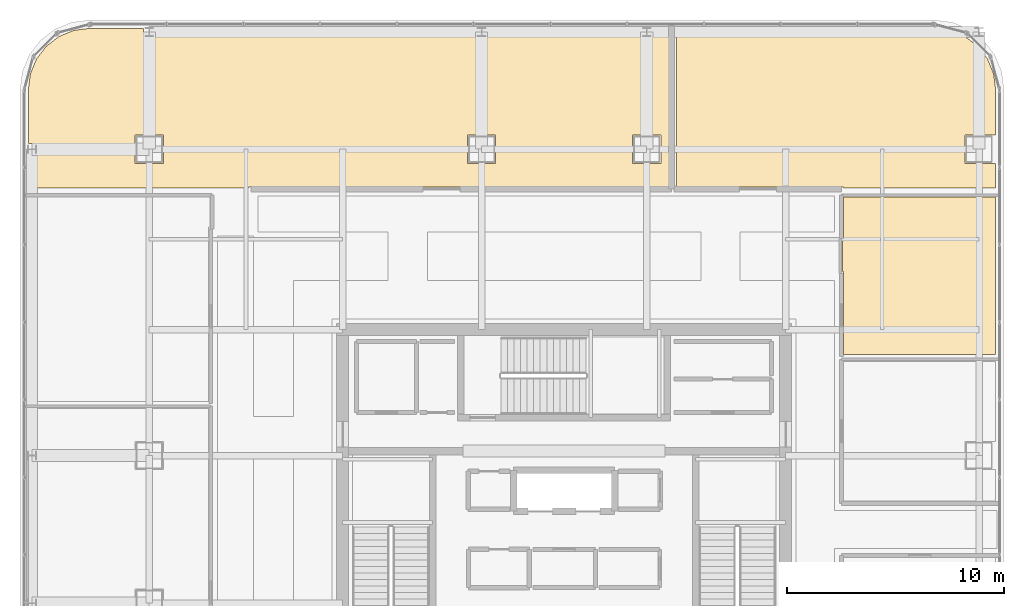
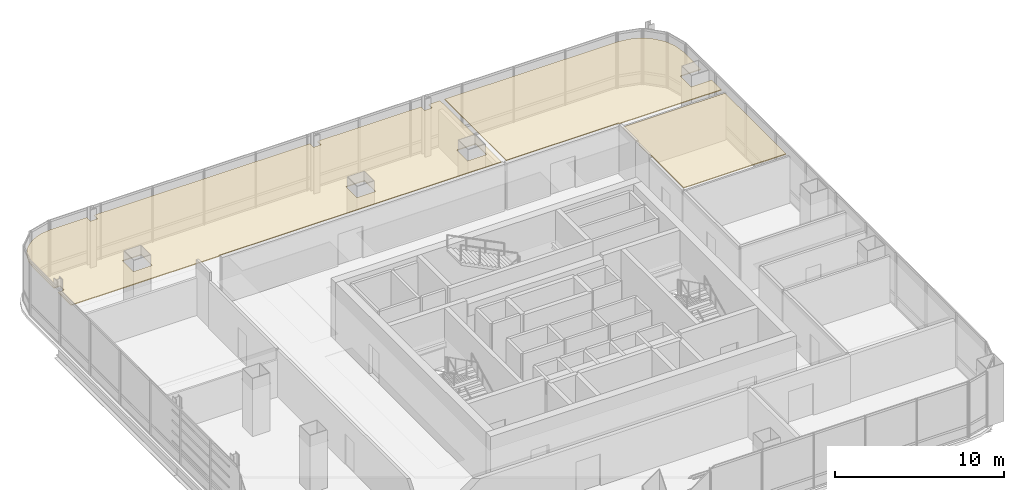
# One storey, part 42 of 42: 3 coverings.
"""IFC4 building model written with IfcOpenShell, lengths in metres."""

from ifc_helpers import new_model, si_unit, direction, frame, origin, place, context, subcontext, project, spatial, polyline, outline, extrude, material, layer, layer_set, type_object, element, save


model = new_model("IFC4")

# Units and contexts
model_context = context("Model", 3, precision=1e-05, world=origin(), true_north=direction((0.0, 1.0)))
body_context = subcontext(model_context, "Body", "Model", "MODEL_VIEW")
ifc_project = project(units=[si_unit("LENGTHUNIT", "METRE"), si_unit("AREAUNIT", "SQUARE_METRE"), si_unit("VOLUMEUNIT", "CUBIC_METRE"), si_unit("PLANEANGLEUNIT", "RADIAN"), si_unit("MASSUNIT", "GRAM", prefix="KILO")], contexts=[model_context])

# Site, building, storey
site_placement = place(None, origin())
site = spatial("IfcSite", under=ifc_project, at=site_placement, CompositionType="ELEMENT")
building_placement = place(site_placement, origin())
building = spatial("IfcBuilding", under=site, at=building_placement, Name="Punatoya Terracotta Tower", CompositionType="ELEMENT")
storey_placement = place(building_placement, frame((0.0, 0.0, 304.800048828125)))
storey = spatial("IfcBuildingStorey", under=building, at=storey_placement, Name="L72", CompositionType="ELEMENT", Elevation=304.800048828125)

# Coverings
ifc_material = material(Name="Acoustic Mineral Fibre Ceiling")
ifc_layer = layer(ifc_material, 0.06005859375)
ifc_layer_set = layer_set([ifc_layer], Name="Acoustic Mineral Fibre Ceiling")
covering_type = type_object("IfcCoveringType", Name="COV-CEIL-60", PredefinedType="CEILING", material=ifc_layer_set)
covering_1_placement = place(storey_placement, frame((0.0, 0.0, 3.389892578125)))
element("IfcCovering", 1, at=covering_1_placement, inside=storey, type_object=covering_type, Name="L72 Waterfront Club Lounge Acoustic Ceiling", PredefinedType="CEILING", context=body_context, shape_type="SweptSolid", body=[
    extrude(outline(polyline([(12.81005859375, 11.8701171875), (12.8701171875, 11.8701171875), (12.8701171875, 8.050048828125), (19.8701171875, 8.050048828125), (19.8701171875, 15.2900390625), (12.8701171875, 15.2900390625), (12.8701171875, 13.280029296875), (12.81005859375, 13.280029296875), (12.81005859375, 11.8701171875)])), origin(), (0.0, 0.0, 1.0), 0.06005859375),
])
covering_2_placement = place(storey_placement, frame((0.0, 0.0, 3.389892578125)))
element("IfcCovering", 2, at=covering_2_placement, inside=storey, type_object=covering_type, Name="L72 Terrace Refreshment Lounge Acoustic Ceiling", PredefinedType="CEILING", context=body_context, shape_type="SweptSolid", body=[
    extrude(outline(polyline([(-18.846923828125, 22.64208984375), (-19.35302734375, 22.64208984375), (-19.35302734375, 23.070068359375), (-21.8251953125, 23.070068359375), (-22.5791015625, 22.970703125), (-23.25830078125, 22.689453125), (-23.841796875, 22.24169921875), (-24.289306640625, 21.658203125), (-24.57080078125, 20.97900390625), (-24.669921875, 20.22509765625), (-24.669921875, 17.758056640625), (-24.2470703125, 17.758056640625), (-24.2470703125, 17.241943359375), (-24.669921875, 17.241943359375), (-24.669921875, 15.7099609375), (-14.52001953125, 15.7099609375), (-14.52001953125, 15.77001953125), (4.847900390625, 15.77001953125), (4.847900390625, 23.070068359375), (4.052978515625, 23.070068359375), (4.052978515625, 22.64208984375), (3.547119140625, 22.64208984375), (3.547119140625, 23.070068359375), (-3.547119140625, 23.070068359375), (-3.547119140625, 22.64208984375), (-4.052978515625, 22.64208984375), (-4.052978515625, 23.070068359375), (-18.846923828125, 23.070068359375), (-18.846923828125, 22.64208984375)]), holes=[polyline([(4.449951171875, 16.85009765625), (3.14990234375, 16.85009765625), (3.14990234375, 18.14990234375), (4.449951171875, 18.14990234375), (4.449951171875, 16.85009765625)]), polyline([(-4.449951171875, 16.85009765625), (-4.449951171875, 18.14990234375), (-3.14990234375, 18.14990234375), (-3.14990234375, 16.85009765625), (-4.449951171875, 16.85009765625)]), polyline([(-19.75, 18.14990234375), (-18.449951171875, 18.14990234375), (-18.449951171875, 16.85009765625), (-19.75, 16.85009765625), (-19.75, 18.14990234375)])]), origin(), (0.0, 0.0, 1.0), 0.06005859375),
])
covering_3_placement = place(storey_placement, frame((0.0, 0.0, 3.389892578125)))
element("IfcCovering", 3, at=covering_3_placement, inside=storey, type_object=covering_type, Name="L72 Open-Plan Hospitality Hosting Lounge Acoustic Ceiling", PredefinedType="CEILING", context=body_context, shape_type="SweptSolid", body=[
    extrude(outline(polyline([(12.8701171875, 15.7099609375), (19.8701171875, 15.7099609375), (19.8701171875, 16.85009765625), (18.449951171875, 16.85009765625), (18.449951171875, 18.14990234375), (19.8701171875, 18.14990234375), (19.8701171875, 20.22509765625), (19.770751953125, 20.97900390625), (19.489501953125, 21.658203125), (19.041748046875, 22.24169921875), (18.458251953125, 22.689453125), (17.779052734375, 22.970703125), (17.025146484375, 23.070068359375), (5.16796875, 23.070068359375), (5.16796875, 15.77001953125), (12.8701171875, 15.77001953125), (12.8701171875, 15.7099609375)])), origin(), (0.0, 0.0, 1.0), 0.06005859375),
])

save(model, "model.ifc")
